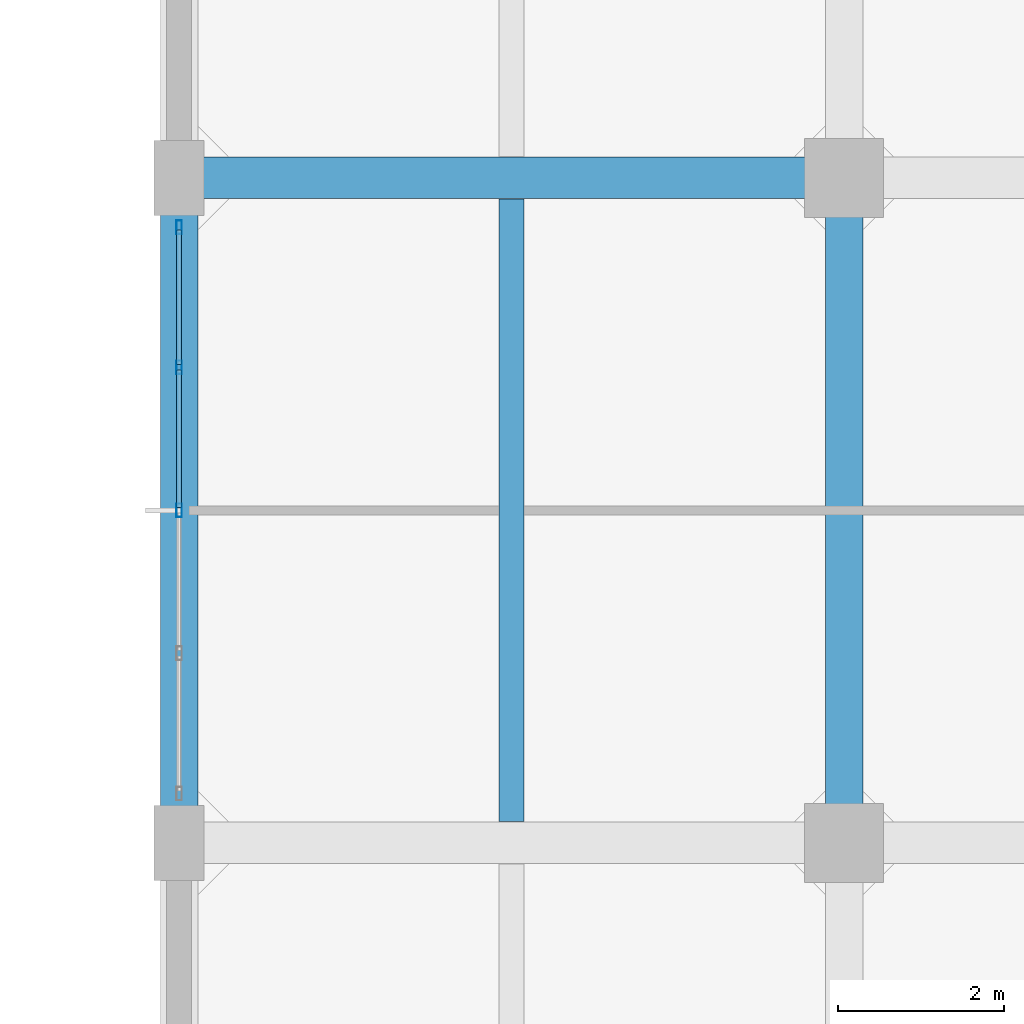
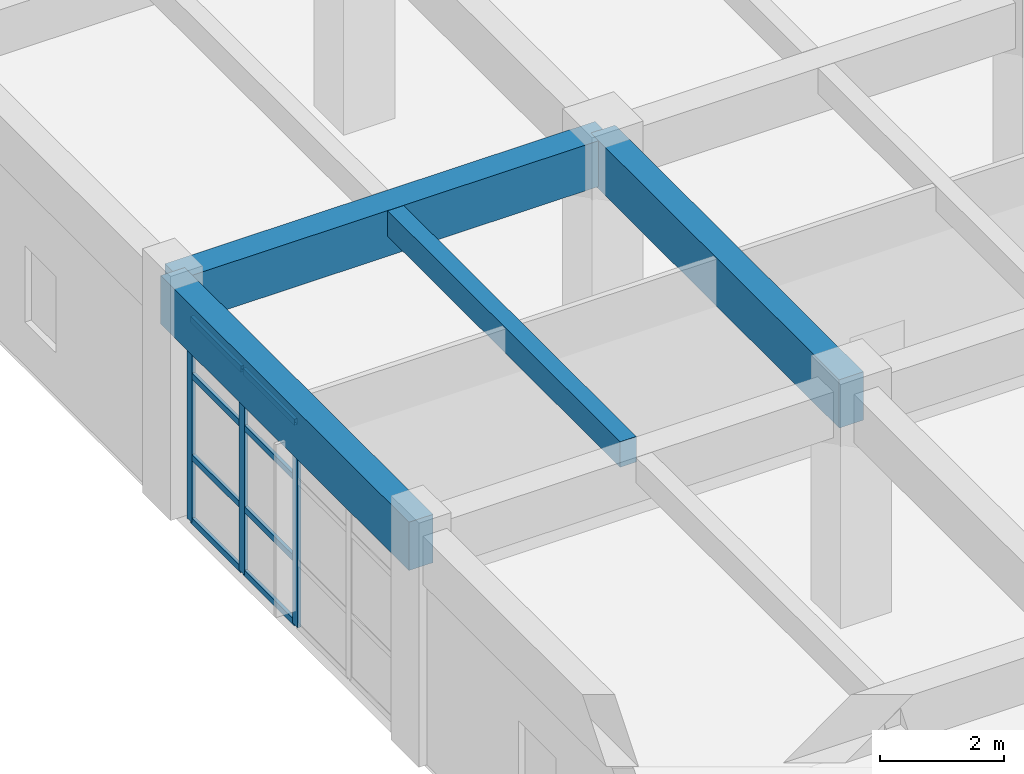
# One storey, part 109 of 248: 11 members, 4 beams, 1 element without a shape of its own.
"""IFC4 building model written with IfcOpenShell, lengths in metres."""

from ifc_helpers import new_model, si_unit, direction, frame, origin, origin_2d, place, context, subcontext, project, spatial, rectangle, hollow_rectangle, extrude, material, layer, layer_set, material_profile, profile_set, type_object, element, aggregate, save


model = new_model("IFC4")

# Units and contexts
model_context = context("Model", 3, precision=1e-05, world=origin(), true_north=direction((0.0, 1.0)))
body_context = subcontext(model_context, "Body", "Model", "MODEL_VIEW")
ifc_project = project(units=[si_unit("LENGTHUNIT", "METRE"), si_unit("AREAUNIT", "SQUARE_METRE"), si_unit("VOLUMEUNIT", "CUBIC_METRE"), si_unit("PLANEANGLEUNIT", "RADIAN"), si_unit("MASSUNIT", "GRAM", prefix="KILO")], contexts=[model_context])

# Site, building, storey
site_placement = place(None, origin())
site = spatial("IfcSite", under=ifc_project, at=site_placement, CompositionType="ELEMENT")
building_placement = place(site_placement, origin())
building = spatial("IfcBuilding", under=site, at=building_placement, Name="Canggui Botanical Conservatory", CompositionType="ELEMENT")
storey_placement = place(building_placement, frame((0.0, 0.0, 5.39990234375)))
storey = spatial("IfcBuildingStorey", under=building, at=storey_placement, Name="L02", CompositionType="ELEMENT", Elevation=5.39990234375)

# Beams
ifc_material_1 = material(Name="Concrete C35", Category="concrete")
ifc_material_profile_1 = material_profile(ifc_material_1, rectangle(XDim=0.300048828125, YDim=0.5, at=origin_2d()), Name="RB 300x500")
ifc_profile_set_1 = profile_set([ifc_material_profile_1], Name="Concrete C35")
beam_type_1 = type_object("IfcBeamType", Name="BM-JST02", PredefinedType="JOIST", material=ifc_profile_set_1)
beam_1_placement = place(storey_placement, frame((134.0, 50.2548828125, 4.27001953125), z_axis=(0.0, 1.0, 0.0), x_axis=(-1.0, 0.0, 0.0)))
element("IfcBeam", 1, at=beam_1_placement, inside=storey, type_object=beam_type_1, Name="Secondary Floor Joist L02-1-4", PredefinedType="JOIST", context=body_context, shape_type="SweptSolid", body=[
    extrude(rectangle(XDim=0.300048828125, YDim=0.5, at=origin_2d()), origin(), (0.0, 0.0, 1.0), 7.490234375),
])
ifc_material_profile_2 = material_profile(ifc_material_1, rectangle(XDim=0.5, YDim=0.89990234375, at=origin_2d()), Name="RB 500x900")
ifc_profile_set_2 = profile_set([ifc_material_profile_2], Name="Concrete C35")
beam_type_2 = type_object("IfcBeamType", Name="BM-KL03", PredefinedType="BEAM", material=ifc_profile_set_2)
beam_2_placement = place(storey_placement, frame((130.0, 58.0, 4.070068359375), z_axis=(1.0, 0.0, 0.0), x_axis=(0.0, 1.0, 0.0)))
element("IfcBeam", 2, at=beam_2_placement, inside=storey, type_object=beam_type_2, Name="Frame Girder L02 Y58-1", PredefinedType="BEAM", context=body_context, shape_type="SweptSolid", body=[
    extrude(rectangle(XDim=0.5, YDim=0.89990234375, at=origin_2d()), origin(), (0.0, 0.0, 1.0), 8.0),
])
ifc_material_profile_3 = material_profile(ifc_material_1, rectangle(XDim=0.449951171875, YDim=0.949951171875, at=origin_2d()), Name="RB 450x950")
ifc_profile_set_3 = profile_set([ifc_material_profile_3], Name="Concrete C35")
beam_type_3 = type_object("IfcBeamType", Name="BM-KL04", PredefinedType="BEAM", material=ifc_profile_set_3)
for number, where, z_axis, x_axis, name in (
    (3, (130.0, 50.0, 4.045166015625), (0.0, 1.0, 0.0), (-1.0, 0.0, 0.0), "Frame Girder L02 X130-4"),
    (4, (138.0, 50.0, 4.045166015625), (0.0, 1.0, 0.0), (-1.0, 0.0, 0.0), "Frame Girder L02 X138-4"),
):
    element("IfcBeam", number, at=place(storey_placement, frame(where, z_axis=z_axis, x_axis=x_axis)), inside=storey, type_object=beam_type_3, Name=name, PredefinedType="BEAM", context=body_context, shape_type="SweptSolid", body=[
        extrude(rectangle(XDim=0.449951171875, YDim=0.949951171875, at=origin_2d()), origin(), (0.0, 0.0, 1.0), 8.0),
    ])

# Curtain wall, members
ifc_material_2 = material(Name="Thermally Broken Aluminium", Category="aluminium")
ifc_layer = layer(ifc_material_2, 0.1650390625, Name="Thermally Broken Aluminium", Category="aluminium")
ifc_layer_set = layer_set([ifc_layer], Name="Thermally Broken Aluminium")
curtain_wall_type = type_object("IfcCurtainWallType", Name="CW-UNIT-B", PredefinedType="USERDEFINED", material=ifc_layer_set)
curtain_wall_placement = place(storey_placement, origin())
curtain_wall = element("IfcCurtainWall", 5, at=curtain_wall_placement, inside=storey, type_object=curtain_wall_type, Name="Facade Curtain Wall CW-TWR-L02-10", ObjectType="UNITISED CURTAIN WALL", PredefinedType="USERDEFINED")
ifc_material_profile_4 = material_profile(ifc_material_2, hollow_rectangle(XDim=0.06494140625, YDim=0.1650390625, WallThickness=0.00390625, at=origin_2d()), Name="CWM 65x165x4")
ifc_profile_set_4 = profile_set([ifc_material_profile_4], Name="Thermally Broken Aluminium")
member_type_1 = type_object("IfcMemberType", Name="CWM-02", PredefinedType="MULLION", material=ifc_profile_set_4)
member_1_placement = place(storey_placement, frame((130.0, 54.0, 0.0), z_axis=(0.0, 0.0, 1.0), x_axis=(-1.0, 0.0, 0.0)))
member_1 = element("IfcMember", 6, at=member_1_placement, type_object=member_type_1, Name="CW-02 mullion 3", PredefinedType="MULLION", context=body_context, shape_type="SweptSolid", body=[
    extrude(hollow_rectangle(XDim=0.06494140625, YDim=0.1650390625, WallThickness=0.00390625, at=origin_2d()), origin(), (0.0, 0.0, 1.0), 4.0),
])
member_2_placement = place(storey_placement, frame((130.0, 55.719970703125, 0.0), z_axis=(0.0, 0.0, 1.0), x_axis=(-1.0, 0.0, 0.0)))
member_2 = element("IfcMember", 7, at=member_2_placement, type_object=member_type_1, Name="CW-02 mullion 4", PredefinedType="MULLION", context=body_context, shape_type="SweptSolid", body=[
    extrude(hollow_rectangle(XDim=0.06494140625, YDim=0.1650390625, WallThickness=0.00390625, at=origin_2d()), origin(), (0.0, 0.0, 1.0), 4.0),
])
member_3_placement = place(storey_placement, frame((130.0, 57.407470703125, 0.0), z_axis=(0.0, 0.0, 1.0), x_axis=(-1.0, 0.0, 0.0)))
member_3 = element("IfcMember", 8, at=member_3_placement, type_object=member_type_1, Name="CW-02 mullion 5", PredefinedType="MULLION", context=body_context, shape_type="SweptSolid", body=[
    extrude(hollow_rectangle(XDim=0.06494140625, YDim=0.1650390625, WallThickness=0.00390625, at=origin_2d()), origin(), (0.0, 0.0, 1.0), 4.0),
])
ifc_material_profile_5 = material_profile(ifc_material_2, hollow_rectangle(XDim=0.06005859375, YDim=0.1201171875, WallThickness=0.00341796875, at=origin_2d()), Name="CWT 60x120x3.5")
ifc_profile_set_5 = profile_set([ifc_material_profile_5], Name="Thermally Broken Aluminium")
member_type_2 = type_object("IfcMemberType", Name="CWT-02", PredefinedType="USERDEFINED", material=ifc_profile_set_5)
member_4_placement = place(storey_placement, frame((130.0, 54.032470703125, 0.030029296875), z_axis=(0.0, 1.0, 0.0), x_axis=(-1.0, 0.0, 0.0)))
member_4 = element("IfcMember", 9, at=member_4_placement, type_object=member_type_2, Name="CW-02 transom 3.1", ObjectType="TRANSOM", PredefinedType="USERDEFINED", context=body_context, shape_type="SweptSolid", body=[
    extrude(hollow_rectangle(XDim=0.06005859375, YDim=0.1201171875, WallThickness=0.00341796875, at=origin_2d()), origin(), (0.0, 0.0, 1.0), 1.655029296875),
])
member_5_placement = place(storey_placement, frame((130.0, 54.032470703125, 1.280029296875), z_axis=(0.0, 1.0, 0.0), x_axis=(-1.0, 0.0, 0.0)))
member_5 = element("IfcMember", 10, at=member_5_placement, type_object=member_type_2, Name="CW-02 transom 3.2", ObjectType="TRANSOM", PredefinedType="USERDEFINED", context=body_context, shape_type="SweptSolid", body=[
    extrude(hollow_rectangle(XDim=0.06005859375, YDim=0.1201171875, WallThickness=0.00341796875, at=origin_2d()), origin(), (0.0, 0.0, 1.0), 1.655029296875),
])
member_6_placement = place(storey_placement, frame((130.0, 54.032470703125, 2.880126953125), z_axis=(0.0, 1.0, 0.0), x_axis=(-1.0, 0.0, 0.0)))
member_6 = element("IfcMember", 11, at=member_6_placement, type_object=member_type_2, Name="CW-02 transom 3.3", ObjectType="TRANSOM", PredefinedType="USERDEFINED", context=body_context, shape_type="SweptSolid", body=[
    extrude(hollow_rectangle(XDim=0.06005859375, YDim=0.1201171875, WallThickness=0.00341796875, at=origin_2d()), origin(), (0.0, 0.0, 1.0), 1.655029296875),
])
member_7_placement = place(storey_placement, frame((130.0, 54.032470703125, 3.97021484375), z_axis=(0.0, 1.0, 0.0), x_axis=(-1.0, 0.0, 0.0)))
member_7 = element("IfcMember", 12, at=member_7_placement, type_object=member_type_2, Name="CW-02 transom 3.4", ObjectType="TRANSOM", PredefinedType="USERDEFINED", context=body_context, shape_type="SweptSolid", body=[
    extrude(hollow_rectangle(XDim=0.06005859375, YDim=0.1201171875, WallThickness=0.00341796875, at=origin_2d()), origin(), (0.0, 0.0, 1.0), 1.655029296875),
])
member_8_placement = place(storey_placement, frame((130.0, 55.75244140625, 0.030029296875), z_axis=(0.0, 1.0, 0.0), x_axis=(-1.0, 0.0, 0.0)))
member_8 = element("IfcMember", 13, at=member_8_placement, type_object=member_type_2, Name="CW-02 transom 4.1", ObjectType="TRANSOM", PredefinedType="USERDEFINED", context=body_context, shape_type="SweptSolid", body=[
    extrude(hollow_rectangle(XDim=0.06005859375, YDim=0.1201171875, WallThickness=0.00341796875, at=origin_2d()), origin(), (0.0, 0.0, 1.0), 1.62255859375),
])
member_9_placement = place(storey_placement, frame((130.0, 55.75244140625, 1.280029296875), z_axis=(0.0, 1.0, 0.0), x_axis=(-1.0, 0.0, 0.0)))
member_9 = element("IfcMember", 14, at=member_9_placement, type_object=member_type_2, Name="CW-02 transom 4.2", ObjectType="TRANSOM", PredefinedType="USERDEFINED", context=body_context, shape_type="SweptSolid", body=[
    extrude(hollow_rectangle(XDim=0.06005859375, YDim=0.1201171875, WallThickness=0.00341796875, at=origin_2d()), origin(), (0.0, 0.0, 1.0), 1.62255859375),
])
member_10_placement = place(storey_placement, frame((130.0, 55.75244140625, 2.880126953125), z_axis=(0.0, 1.0, 0.0), x_axis=(-1.0, 0.0, 0.0)))
member_10 = element("IfcMember", 15, at=member_10_placement, type_object=member_type_2, Name="CW-02 transom 4.3", ObjectType="TRANSOM", PredefinedType="USERDEFINED", context=body_context, shape_type="SweptSolid", body=[
    extrude(hollow_rectangle(XDim=0.06005859375, YDim=0.1201171875, WallThickness=0.00341796875, at=origin_2d()), origin(), (0.0, 0.0, 1.0), 1.62255859375),
])
member_11_placement = place(storey_placement, frame((130.0, 55.75244140625, 3.97021484375), z_axis=(0.0, 1.0, 0.0), x_axis=(-1.0, 0.0, 0.0)))
member_11 = element("IfcMember", 16, at=member_11_placement, type_object=member_type_2, Name="CW-02 transom 4.4", ObjectType="TRANSOM", PredefinedType="USERDEFINED", context=body_context, shape_type="SweptSolid", body=[
    extrude(hollow_rectangle(XDim=0.06005859375, YDim=0.1201171875, WallThickness=0.00341796875, at=origin_2d()), origin(), (0.0, 0.0, 1.0), 1.62255859375),
])
aggregate(curtain_wall, [member_1, member_2, member_3, member_4, member_5, member_6, member_7, member_8, member_9, member_10, member_11])

save(model, "model.ifc")
